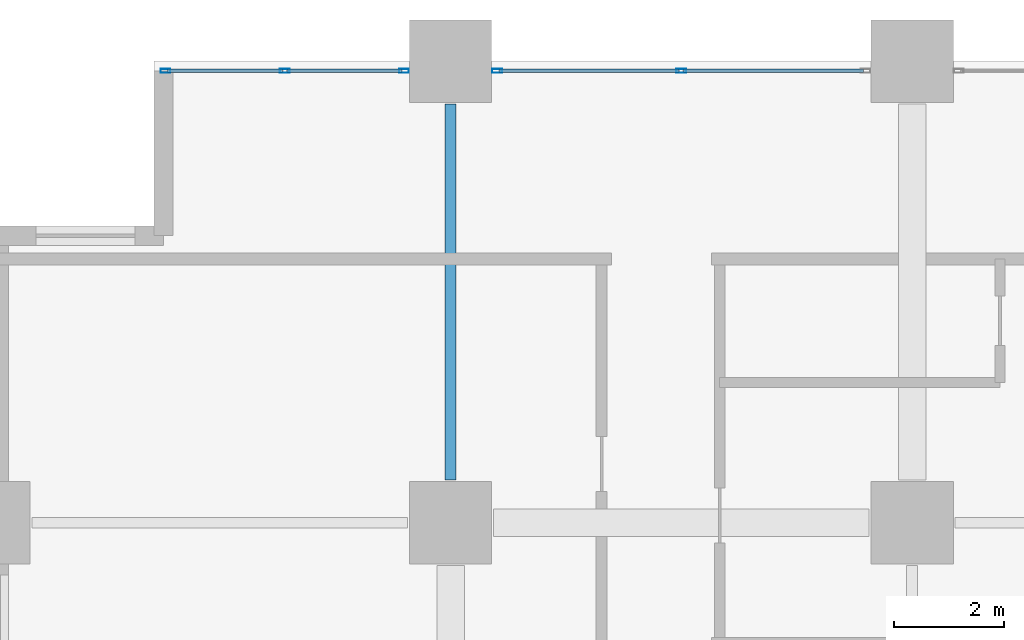
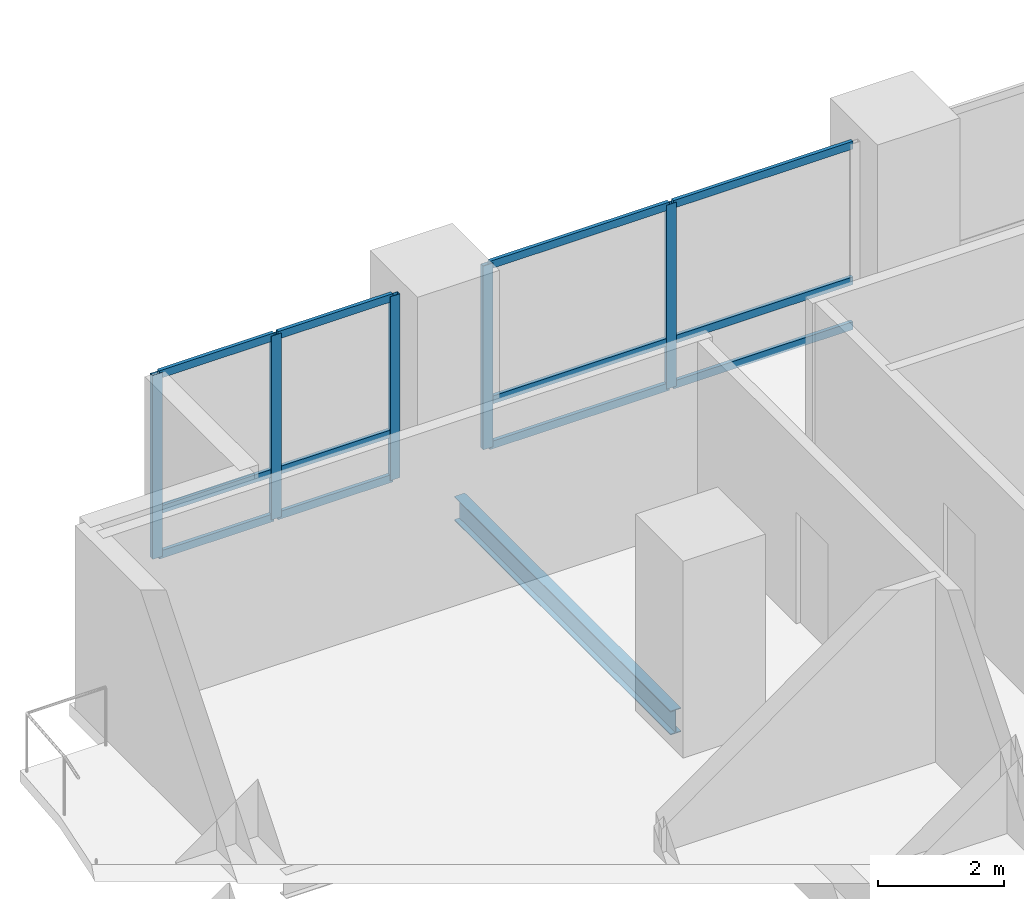
# One storey, part 3 of 23: 17 members, 1 beam, 2 elements without a shape of their own.
"""IFC4 building model written with IfcOpenShell, lengths in metres."""

from ifc_helpers import new_model, si_unit, direction, frame, origin, origin_2d, place, context, subcontext, project, spatial, hollow_rectangle, i_section, extrude, material, layer, layer_set, material_profile, profile_set, type_object, element, aggregate, save


model = new_model("IFC4")

# Units and contexts
model_context = context("Model", 3, precision=1e-05, world=origin(), true_north=direction((0.0, 1.0)))
body_context = subcontext(model_context, "Body", "Model", "MODEL_VIEW")
ifc_project = project(units=[si_unit("LENGTHUNIT", "METRE"), si_unit("AREAUNIT", "SQUARE_METRE"), si_unit("VOLUMEUNIT", "CUBIC_METRE"), si_unit("PLANEANGLEUNIT", "RADIAN"), si_unit("MASSUNIT", "GRAM", prefix="KILO")], contexts=[model_context])

# Site, building, storey
site_placement = place(None, origin())
site = spatial("IfcSite", under=ifc_project, at=site_placement, CompositionType="ELEMENT")
building_placement = place(site_placement, origin())
building = spatial("IfcBuilding", under=site, at=building_placement, Name="Koriwani Terraces Tower", CompositionType="ELEMENT")
storey_placement = place(building_placement, frame((0.0, 0.0, 32.0)))
storey = spatial("IfcBuildingStorey", under=building, at=storey_placement, Name="L06", CompositionType="ELEMENT", Elevation=32.0)

# Curtain wall, members
ifc_material_1 = material(Name="Anodised Bronze Aluminium", Category="aluminium")
ifc_layer = layer(ifc_material_1, 0.179931640625, Name="Anodised Bronze Aluminium")
ifc_layer_set = layer_set([ifc_layer], Name="Anodised Bronze Aluminium")
curtain_wall_type = type_object("IfcCurtainWallType", Name="CW_HOTEL_ZONE1", PredefinedType="NOTDEFINED", material=ifc_layer_set)
curtain_wall_1_placement = place(storey_placement, origin())
curtain_wall_1 = element("IfcCurtainWall", 1, at=curtain_wall_1_placement, inside=storey, type_object=curtain_wall_type, Name="L06 Unitised Curtain Wall (N_TIP) Bay 1", PredefinedType="NOTDEFINED")
ifc_material_profile_1 = material_profile(ifc_material_1, hollow_rectangle(XDim=0.074951171875, YDim=0.179931640625, WallThickness=0.006103515625, at=origin_2d()), Name="Anodised Bronze Aluminium", Category="LoadBearing")
ifc_profile_set_1 = profile_set([ifc_material_profile_1], Name="Anodised Bronze Aluminium")
member_type_1 = type_object("IfcMemberType", Name="CW_MULLION_180X75", PredefinedType="MULLION", material=ifc_profile_set_1)
member_1_placement = place(storey_placement, frame((3.21240234375, 92.22509765625, 0.0), z_axis=(0.0, 0.0, 1.0), x_axis=(0.0, 1.0, 0.0)))
member_1 = element("IfcMember", 2, at=member_1_placement, type_object=member_type_1, Name="CW-Z1 mullion 1", PredefinedType="MULLION", context=body_context, shape_type="SweptSolid", body=[
    extrude(hollow_rectangle(XDim=0.074951171875, YDim=0.179931640625, WallThickness=0.006103515625, at=origin_2d()), origin(), (0.0, 0.0, 1.0), 3.550048828125),
])
member_2_placement = place(storey_placement, frame((5.382568359375, 92.22509765625, 0.0), z_axis=(0.0, 0.0, 1.0), x_axis=(0.0, 1.0, 0.0)))
member_2 = element("IfcMember", 3, at=member_2_placement, type_object=member_type_1, Name="CW-Z1 mullion 2", PredefinedType="MULLION", context=body_context, shape_type="SweptSolid", body=[
    extrude(hollow_rectangle(XDim=0.074951171875, YDim=0.179931640625, WallThickness=0.006103515625, at=origin_2d()), origin(), (0.0, 0.0, 1.0), 3.550048828125),
])
member_3_placement = place(storey_placement, frame((7.552490234375, 92.22509765625, 0.0), z_axis=(0.0, 0.0, 1.0), x_axis=(0.0, 1.0, 0.0)))
member_3 = element("IfcMember", 4, at=member_3_placement, type_object=member_type_1, Name="CW-Z1 mullion 3", PredefinedType="MULLION", context=body_context, shape_type="SweptSolid", body=[
    extrude(hollow_rectangle(XDim=0.074951171875, YDim=0.179931640625, WallThickness=0.006103515625, at=origin_2d()), origin(), (0.0, 0.0, 1.0), 3.550048828125),
])

curtain_wall_2_placement = place(storey_placement, origin())
curtain_wall_2 = element("IfcCurtainWall", 5, at=curtain_wall_2_placement, inside=storey, type_object=curtain_wall_type, Name="L06 Unitised Curtain Wall (N_TIP) Bay 2", PredefinedType="NOTDEFINED")
member_4_placement = place(storey_placement, frame((9.24755859375, 92.22509765625, 0.0), z_axis=(0.0, 0.0, 1.0), x_axis=(0.0, 1.0, 0.0)))
member_4 = element("IfcMember", 6, at=member_4_placement, type_object=member_type_1, Name="CW-Z1 mullion 1", PredefinedType="MULLION", context=body_context, shape_type="SweptSolid", body=[
    extrude(hollow_rectangle(XDim=0.074951171875, YDim=0.179931640625, WallThickness=0.006103515625, at=origin_2d()), origin(), (0.0, 0.0, 1.0), 3.550048828125),
])
member_5_placement = place(storey_placement, frame((12.60009765625, 92.22509765625, 0.0), z_axis=(0.0, 0.0, 1.0), x_axis=(0.0, 1.0, 0.0)))
member_5 = element("IfcMember", 7, at=member_5_placement, type_object=member_type_1, Name="CW-Z1 mullion 2", PredefinedType="MULLION", context=body_context, shape_type="SweptSolid", body=[
    extrude(hollow_rectangle(XDim=0.074951171875, YDim=0.179931640625, WallThickness=0.006103515625, at=origin_2d()), origin(), (0.0, 0.0, 1.0), 3.550048828125),
])

# Member
ifc_material_profile_2 = material_profile(ifc_material_1, hollow_rectangle(XDim=0.06494140625, YDim=0.14990234375, WallThickness=0.0048828125, at=origin_2d()), Name="Anodised Bronze Aluminium", Category="LoadBearing")
ifc_profile_set_2 = profile_set([ifc_material_profile_2], Name="Anodised Bronze Aluminium")
member_type_2 = type_object("IfcMemberType", Name="CW_TRANSOM_150X65", PredefinedType="USERDEFINED", material=ifc_profile_set_2)
member_6_placement = place(storey_placement, frame((3.25, 92.22509765625, 0.032470703125), z_axis=(1.0, 0.0, 0.0), x_axis=(0.0, 1.0, 0.0)))
member_6 = element("IfcMember", 8, at=member_6_placement, type_object=member_type_2, Name="CW-Z1 transom 1.1", ObjectType="TRANSOM", PredefinedType="USERDEFINED", context=body_context, shape_type="SweptSolid", body=[
    extrude(hollow_rectangle(XDim=0.06494140625, YDim=0.14990234375, WallThickness=0.0048828125, at=origin_2d()), origin(), (0.0, 0.0, 1.0), 2.094970703125),
])

member_7_placement = place(storey_placement, frame((3.25, 92.22509765625, 0.89990234375), z_axis=(1.0, 0.0, 0.0), x_axis=(0.0, 1.0, 0.0)))
member_7 = element("IfcMember", 9, at=member_7_placement, type_object=member_type_2, Name="CW-Z1 transom 1.2", ObjectType="TRANSOM", PredefinedType="USERDEFINED", context=body_context, shape_type="SweptSolid", body=[
    extrude(hollow_rectangle(XDim=0.06494140625, YDim=0.14990234375, WallThickness=0.0048828125, at=origin_2d()), origin(), (0.0, 0.0, 1.0), 2.094970703125),
])

member_8_placement = place(storey_placement, frame((3.25, 92.22509765625, 3.517578125), z_axis=(1.0, 0.0, 0.0), x_axis=(0.0, 1.0, 0.0)))
member_8 = element("IfcMember", 10, at=member_8_placement, type_object=member_type_2, Name="CW-Z1 transom 1.3", ObjectType="TRANSOM", PredefinedType="USERDEFINED", context=body_context, shape_type="SweptSolid", body=[
    extrude(hollow_rectangle(XDim=0.06494140625, YDim=0.14990234375, WallThickness=0.0048828125, at=origin_2d()), origin(), (0.0, 0.0, 1.0), 2.094970703125),
])

member_9_placement = place(storey_placement, frame((5.419921875, 92.22509765625, 0.032470703125), z_axis=(1.0, 0.0, 0.0), x_axis=(0.0, 1.0, 0.0)))
member_9 = element("IfcMember", 11, at=member_9_placement, type_object=member_type_2, Name="CW-Z1 transom 2.1", ObjectType="TRANSOM", PredefinedType="USERDEFINED", context=body_context, shape_type="SweptSolid", body=[
    extrude(hollow_rectangle(XDim=0.06494140625, YDim=0.14990234375, WallThickness=0.0048828125, at=origin_2d()), origin(), (0.0, 0.0, 1.0), 2.094970703125),
])

member_10_placement = place(storey_placement, frame((5.419921875, 92.22509765625, 0.89990234375), z_axis=(1.0, 0.0, 0.0), x_axis=(0.0, 1.0, 0.0)))
member_10 = element("IfcMember", 12, at=member_10_placement, type_object=member_type_2, Name="CW-Z1 transom 2.2", ObjectType="TRANSOM", PredefinedType="USERDEFINED", context=body_context, shape_type="SweptSolid", body=[
    extrude(hollow_rectangle(XDim=0.06494140625, YDim=0.14990234375, WallThickness=0.0048828125, at=origin_2d()), origin(), (0.0, 0.0, 1.0), 2.094970703125),
])

member_11_placement = place(storey_placement, frame((5.419921875, 92.22509765625, 3.517578125), z_axis=(1.0, 0.0, 0.0), x_axis=(0.0, 1.0, 0.0)))
member_11 = element("IfcMember", 13, at=member_11_placement, type_object=member_type_2, Name="CW-Z1 transom 2.3", ObjectType="TRANSOM", PredefinedType="USERDEFINED", context=body_context, shape_type="SweptSolid", body=[
    extrude(hollow_rectangle(XDim=0.06494140625, YDim=0.14990234375, WallThickness=0.0048828125, at=origin_2d()), origin(), (0.0, 0.0, 1.0), 2.094970703125),
])

aggregate(curtain_wall_1, [member_1, member_2, member_3, member_6, member_7, member_8, member_9, member_10, member_11])

member_12_placement = place(storey_placement, frame((9.284912109375, 92.22509765625, 0.032470703125), z_axis=(1.0, 0.0, 0.0), x_axis=(0.0, 1.0, 0.0)))
member_12 = element("IfcMember", 14, at=member_12_placement, type_object=member_type_2, Name="CW-Z1 transom 1.1", ObjectType="TRANSOM", PredefinedType="USERDEFINED", context=body_context, shape_type="SweptSolid", body=[
    extrude(hollow_rectangle(XDim=0.06494140625, YDim=0.14990234375, WallThickness=0.0048828125, at=origin_2d()), origin(), (0.0, 0.0, 1.0), 3.277587890625),
])

member_13_placement = place(storey_placement, frame((9.284912109375, 92.22509765625, 0.89990234375), z_axis=(1.0, 0.0, 0.0), x_axis=(0.0, 1.0, 0.0)))
member_13 = element("IfcMember", 15, at=member_13_placement, type_object=member_type_2, Name="CW-Z1 transom 1.2", ObjectType="TRANSOM", PredefinedType="USERDEFINED", context=body_context, shape_type="SweptSolid", body=[
    extrude(hollow_rectangle(XDim=0.06494140625, YDim=0.14990234375, WallThickness=0.0048828125, at=origin_2d()), origin(), (0.0, 0.0, 1.0), 3.277587890625),
])

member_14_placement = place(storey_placement, frame((9.284912109375, 92.22509765625, 3.517578125), z_axis=(1.0, 0.0, 0.0), x_axis=(0.0, 1.0, 0.0)))
member_14 = element("IfcMember", 16, at=member_14_placement, type_object=member_type_2, Name="CW-Z1 transom 1.3", ObjectType="TRANSOM", PredefinedType="USERDEFINED", context=body_context, shape_type="SweptSolid", body=[
    extrude(hollow_rectangle(XDim=0.06494140625, YDim=0.14990234375, WallThickness=0.0048828125, at=origin_2d()), origin(), (0.0, 0.0, 1.0), 3.277587890625),
])

member_15_placement = place(storey_placement, frame((12.637451171875, 92.22509765625, 0.032470703125), z_axis=(1.0, 0.0, 0.0), x_axis=(0.0, 1.0, 0.0)))
member_15 = element("IfcMember", 17, at=member_15_placement, type_object=member_type_2, Name="CW-Z1 transom 2.1", ObjectType="TRANSOM", PredefinedType="USERDEFINED", context=body_context, shape_type="SweptSolid", body=[
    extrude(hollow_rectangle(XDim=0.06494140625, YDim=0.14990234375, WallThickness=0.0048828125, at=origin_2d()), origin(), (0.0, 0.0, 1.0), 3.277587890625),
])

member_16_placement = place(storey_placement, frame((12.637451171875, 92.22509765625, 0.89990234375), z_axis=(1.0, 0.0, 0.0), x_axis=(0.0, 1.0, 0.0)))
member_16 = element("IfcMember", 18, at=member_16_placement, type_object=member_type_2, Name="CW-Z1 transom 2.2", ObjectType="TRANSOM", PredefinedType="USERDEFINED", context=body_context, shape_type="SweptSolid", body=[
    extrude(hollow_rectangle(XDim=0.06494140625, YDim=0.14990234375, WallThickness=0.0048828125, at=origin_2d()), origin(), (0.0, 0.0, 1.0), 3.277587890625),
])

member_17_placement = place(storey_placement, frame((12.637451171875, 92.22509765625, 3.517578125), z_axis=(1.0, 0.0, 0.0), x_axis=(0.0, 1.0, 0.0)))
member_17 = element("IfcMember", 19, at=member_17_placement, type_object=member_type_2, Name="CW-Z1 transom 2.3", ObjectType="TRANSOM", PredefinedType="USERDEFINED", context=body_context, shape_type="SweptSolid", body=[
    extrude(hollow_rectangle(XDim=0.06494140625, YDim=0.14990234375, WallThickness=0.0048828125, at=origin_2d()), origin(), (0.0, 0.0, 1.0), 3.277587890625),
])

aggregate(curtain_wall_2, [member_4, member_5, member_12, member_13, member_14, member_15, member_16, member_17])

# Beam
ifc_material_2 = material(Name="Steel ASTM A572 Grade 50", Category="steel")
ifc_material_profile_3 = material_profile(ifc_material_2, i_section(OverallWidth=0.193115234375, OverallDepth=0.462890625, WebThickness=0.0107421875, FlangeThickness=0.017333984375, at=origin_2d()), Name="Steel ASTM A572 Grade 50", Category="LoadBearing")
ifc_profile_set_3 = profile_set([ifc_material_profile_3], Name="Steel ASTM A572 Grade 50")
beam_type = type_object("IfcBeamType", Name="STEEL_BEAM_W460X113", PredefinedType="BEAM", material=ifc_profile_set_3)
beam_placement = place(storey_placement, frame((8.39990234375, 84.780029296875, -0.4814453125), z_axis=(0.0, 1.0, 0.0), x_axis=(-1.0, 0.0, 0.0)))
element("IfcBeam", 20, at=beam_placement, inside=storey, type_object=beam_type, Name="L06 Grid Beam 2 (84.0-92.4m)", PredefinedType="BEAM", context=body_context, shape_type="SweptSolid", body=[
    extrude(i_section(OverallWidth=0.193115234375, OverallDepth=0.462890625, WebThickness=0.0107421875, FlangeThickness=0.017333984375, at=origin_2d()), origin(), (0.0, 0.0, 1.0), 6.840087890625),
])

save(model, "model.ifc")
